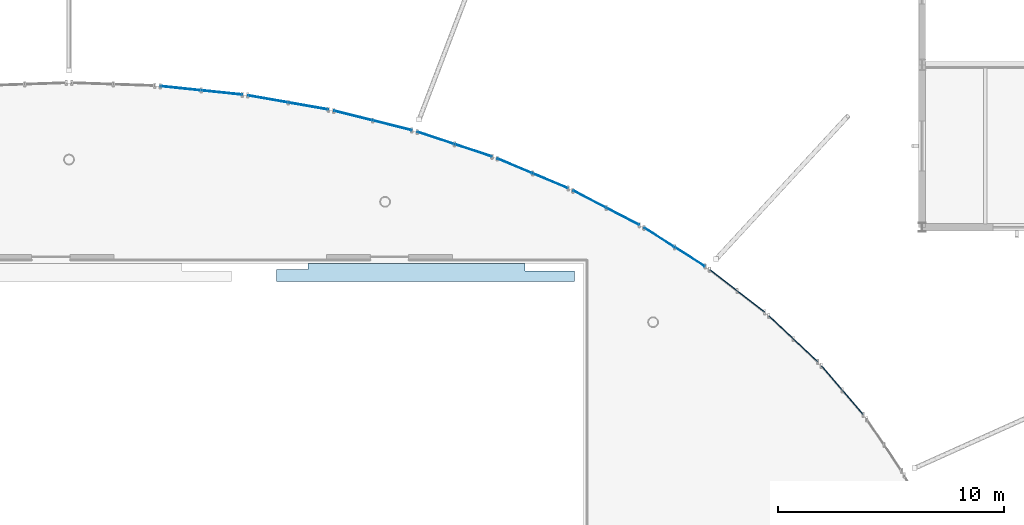
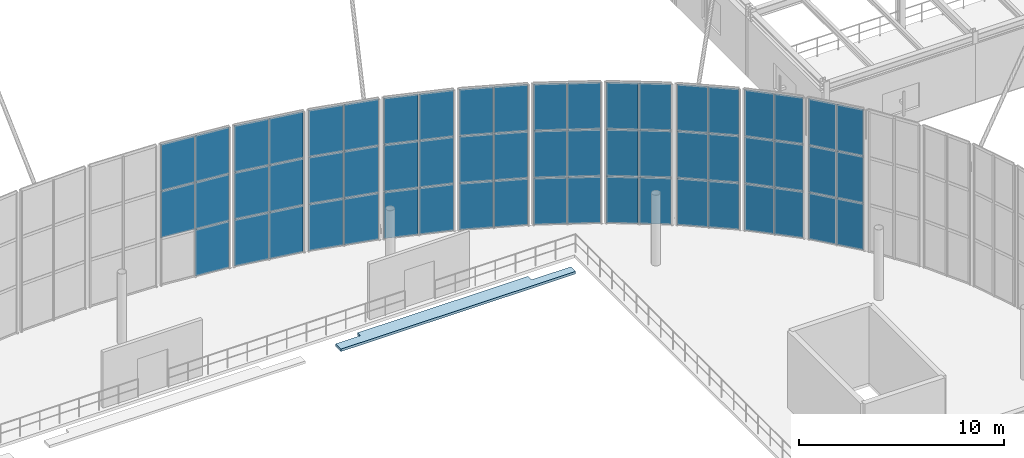
# One storey, part 52 of 109: 59 plates, 1 slab, 10 elements without a shape of their own.
"""IFC4 building model written with IfcOpenShell, lengths in metres."""

from ifc_helpers import new_model, si_unit, derived_unit, direction, frame, origin, origin_2d, place, context, subcontext, project, spatial, polyline, rectangle, outline, extrude, material, layer, layer_set, type_object, element, aggregate, save


model = new_model("IFC4")

# Units and contexts
model_context = context("Model", 3, precision=1e-05, world=origin(), true_north=direction((0.0, 1.0)))
body_context = subcontext(model_context, "Body", "Model", "MODEL_VIEW")
ifc_project = project(units=[si_unit("LENGTHUNIT", "METRE"), si_unit("AREAUNIT", "SQUARE_METRE"), si_unit("VOLUMEUNIT", "CUBIC_METRE"), si_unit("PLANEANGLEUNIT", "RADIAN"), si_unit("MASSUNIT", "GRAM", prefix="KILO"), derived_unit("THERMALTRANSMITTANCEUNIT", [(si_unit("MASSUNIT", "GRAM", prefix="KILO"), 1), (si_unit("TIMEUNIT", "SECOND"), -3), (si_unit("THERMODYNAMICTEMPERATUREUNIT", "KELVIN"), -1)])], contexts=[model_context])

# Site, building, storey
site_placement = place(None, origin())
site = spatial("IfcSite", under=ifc_project, at=site_placement, CompositionType="ELEMENT")
building_placement = place(site_placement, origin())
building = spatial("IfcBuilding", under=site, at=building_placement, Name="Kharveza Railside Sports Centre", CompositionType="ELEMENT")
storey_placement = place(building_placement, frame((0.0, 0.0, 4.5)))
storey = spatial("IfcBuildingStorey", under=building, at=storey_placement, Name="L01", CompositionType="ELEMENT", Elevation=4.5)

# Curtain wall, plates
ifc_material_1 = material(Name="Low-E solar-control laminated glass", Category="glass")
curtain_wall_type = type_object("IfcCurtainWallType", Name="CW-DR01", PredefinedType="NOTDEFINED", material=ifc_material_1)
curtain_wall_1_placement = place(storey_placement, origin())
curtain_wall_1 = element("IfcCurtainWall", 1, at=curtain_wall_1_placement, inside=storey, type_object=curtain_wall_type, Name="CW-DRUM-06", PredefinedType="NOTDEFINED")
ifc_layer_1 = layer(ifc_material_1, 0.035888671875, Name="Low-E solar-control laminated glass")
ifc_layer_set_1 = layer_set([ifc_layer_1], Name="Low-E solar-control laminated glass")
plate_type = type_object("IfcPlateType", Name="PL-CP01", PredefinedType="CURTAIN_PANEL", material=ifc_layer_set_1)
plate_1_placement = place(storey_placement, frame((89.333251953125, 64.23388671875, 0.02001953125), z_axis=(0.0, 0.0, 1.0), x_axis=(-0.650403089613, 0.759589244935, 0.0)))
plate_1 = element("IfcPlate", 2, at=plate_1_placement, type_object=plate_type, Name="CW-DRUM-06-PN11", PredefinedType="CURTAIN_PANEL", context=body_context, shape_type="SweptSolid", body=[
    extrude(rectangle(XDim=1.391357421875, YDim=0.035888671875, at=origin_2d()), origin(), (0.0, 0.0, 1.0), 2.760009765625),
])
plate_2_placement = place(storey_placement, frame((89.333251953125, 64.23388671875, 2.81982421875), z_axis=(0.0, 0.0, 1.0), x_axis=(-0.650403089613, 0.759589244935, 0.0)))
plate_2 = element("IfcPlate", 3, at=plate_2_placement, type_object=plate_type, Name="CW-DRUM-06-PN12", PredefinedType="CURTAIN_PANEL", context=body_context, shape_type="SweptSolid", body=[
    extrude(rectangle(XDim=1.391357421875, YDim=0.035888671875, at=origin_2d()), origin(), (0.0, 0.0, 1.0), 2.760009765625),
])
plate_3_placement = place(storey_placement, frame((89.333251953125, 64.23388671875, 5.6201171875), z_axis=(0.0, 0.0, 1.0), x_axis=(-0.650403089613, 0.759589244935, 0.0)))
plate_3 = element("IfcPlate", 4, at=plate_3_placement, type_object=plate_type, Name="CW-DRUM-06-PN13", PredefinedType="CURTAIN_PANEL", context=body_context, shape_type="SweptSolid", body=[
    extrude(rectangle(XDim=1.391357421875, YDim=0.035888671875, at=origin_2d()), origin(), (0.0, 0.0, 1.0), 2.760009765625),
])
plate_4_placement = place(storey_placement, frame((88.40234375, 65.3212890625, 0.02001953125), z_axis=(0.0, 0.0, 1.0), x_axis=(-0.650403089613, 0.759589244935, 0.0)))
plate_4 = element("IfcPlate", 5, at=plate_4_placement, type_object=plate_type, Name="CW-DRUM-06-PN21", PredefinedType="CURTAIN_PANEL", context=body_context, shape_type="SweptSolid", body=[
    extrude(rectangle(XDim=1.391357421875, YDim=0.035888671875, at=origin_2d()), origin(), (0.0, 0.0, 1.0), 2.760009765625),
])
plate_5_placement = place(storey_placement, frame((88.40234375, 65.3212890625, 2.81982421875), z_axis=(0.0, 0.0, 1.0), x_axis=(-0.650403089613, 0.759589244935, 0.0)))
plate_5 = element("IfcPlate", 6, at=plate_5_placement, type_object=plate_type, Name="CW-DRUM-06-PN22", PredefinedType="CURTAIN_PANEL", context=body_context, shape_type="SweptSolid", body=[
    extrude(rectangle(XDim=1.391357421875, YDim=0.035888671875, at=origin_2d()), origin(), (0.0, 0.0, 1.0), 2.760009765625),
])
plate_6_placement = place(storey_placement, frame((88.40234375, 65.3212890625, 5.6201171875), z_axis=(0.0, 0.0, 1.0), x_axis=(-0.650403089613, 0.759589244935, 0.0)))
plate_6 = element("IfcPlate", 7, at=plate_6_placement, type_object=plate_type, Name="CW-DRUM-06-PN23", PredefinedType="CURTAIN_PANEL", context=body_context, shape_type="SweptSolid", body=[
    extrude(rectangle(XDim=1.391357421875, YDim=0.035888671875, at=origin_2d()), origin(), (0.0, 0.0, 1.0), 2.760009765625),
])
aggregate(curtain_wall_1, [plate_1, plate_2, plate_3, plate_4, plate_5, plate_6])

curtain_wall_2_placement = place(storey_placement, origin())
curtain_wall_2 = element("IfcCurtainWall", 8, at=curtain_wall_2_placement, inside=storey, type_object=curtain_wall_type, Name="CW-DRUM-07", PredefinedType="NOTDEFINED")
plate_7_placement = place(storey_placement, frame((87.230712890625, 66.548828125, 0.02001953125), z_axis=(0.0, 0.0, 1.0), x_axis=(-0.727233892774, 0.686389732732, 0.0)))
plate_7 = element("IfcPlate", 9, at=plate_7_placement, type_object=plate_type, Name="CW-DRUM-07-PN11", PredefinedType="CURTAIN_PANEL", context=body_context, shape_type="SweptSolid", body=[
    extrude(rectangle(XDim=1.44775390625, YDim=0.035888671875, at=origin_2d()), origin(), (0.0, 0.0, 1.0), 2.760009765625),
])
plate_8_placement = place(storey_placement, frame((87.230712890625, 66.548828125, 2.81982421875), z_axis=(0.0, 0.0, 1.0), x_axis=(-0.727233892774, 0.686389732732, 0.0)))
plate_8 = element("IfcPlate", 10, at=plate_8_placement, type_object=plate_type, Name="CW-DRUM-07-PN12", PredefinedType="CURTAIN_PANEL", context=body_context, shape_type="SweptSolid", body=[
    extrude(rectangle(XDim=1.44775390625, YDim=0.035888671875, at=origin_2d()), origin(), (0.0, 0.0, 1.0), 2.760009765625),
])
plate_9_placement = place(storey_placement, frame((87.230712890625, 66.548828125, 5.6201171875), z_axis=(0.0, 0.0, 1.0), x_axis=(-0.727233892774, 0.686389732732, 0.0)))
plate_9 = element("IfcPlate", 11, at=plate_9_placement, type_object=plate_type, Name="CW-DRUM-07-PN13", PredefinedType="CURTAIN_PANEL", context=body_context, shape_type="SweptSolid", body=[
    extrude(rectangle(XDim=1.44775390625, YDim=0.035888671875, at=origin_2d()), origin(), (0.0, 0.0, 1.0), 2.760009765625),
])
plate_10_placement = place(storey_placement, frame((86.148681640625, 67.570068359375, 0.02001953125), z_axis=(0.0, 0.0, 1.0), x_axis=(-0.727233892774, 0.686389732732, 0.0)))
plate_10 = element("IfcPlate", 12, at=plate_10_placement, type_object=plate_type, Name="CW-DRUM-07-PN21", PredefinedType="CURTAIN_PANEL", context=body_context, shape_type="SweptSolid", body=[
    extrude(rectangle(XDim=1.44775390625, YDim=0.035888671875, at=origin_2d()), origin(), (0.0, 0.0, 1.0), 2.760009765625),
])
plate_11_placement = place(storey_placement, frame((86.148681640625, 67.570068359375, 2.81982421875), z_axis=(0.0, 0.0, 1.0), x_axis=(-0.727233892774, 0.686389732732, 0.0)))
plate_11 = element("IfcPlate", 13, at=plate_11_placement, type_object=plate_type, Name="CW-DRUM-07-PN22", PredefinedType="CURTAIN_PANEL", context=body_context, shape_type="SweptSolid", body=[
    extrude(rectangle(XDim=1.44775390625, YDim=0.035888671875, at=origin_2d()), origin(), (0.0, 0.0, 1.0), 2.760009765625),
])
plate_12_placement = place(storey_placement, frame((86.148681640625, 67.570068359375, 5.6201171875), z_axis=(0.0, 0.0, 1.0), x_axis=(-0.727233892774, 0.686389732732, 0.0)))
plate_12 = element("IfcPlate", 14, at=plate_12_placement, type_object=plate_type, Name="CW-DRUM-07-PN23", PredefinedType="CURTAIN_PANEL", context=body_context, shape_type="SweptSolid", body=[
    extrude(rectangle(XDim=1.44775390625, YDim=0.035888671875, at=origin_2d()), origin(), (0.0, 0.0, 1.0), 2.760009765625),
])
aggregate(curtain_wall_2, [plate_7, plate_8, plate_9, plate_10, plate_11, plate_12])

curtain_wall_3_placement = place(storey_placement, origin())
curtain_wall_3 = element("IfcCurtainWall", 15, at=curtain_wall_3_placement, inside=storey, type_object=curtain_wall_type, Name="CW-DRUM-08", PredefinedType="NOTDEFINED")
plate_13_placement = place(storey_placement, frame((84.81396484375, 68.708740234375, 0.02001953125), z_axis=(0.0, 0.0, 1.0), x_axis=(-0.791436947965, 0.61125081382, 0.0)))
plate_13 = element("IfcPlate", 16, at=plate_13_placement, type_object=plate_type, Name="CW-DRUM-08-PN11", PredefinedType="CURTAIN_PANEL", context=body_context, shape_type="SweptSolid", body=[
    extrude(rectangle(XDim=1.50537109375, YDim=0.035888671875, at=origin_2d()), origin(), (0.0, 0.0, 1.0), 2.760009765625),
])
plate_14_placement = place(storey_placement, frame((84.81396484375, 68.708740234375, 2.81982421875), z_axis=(0.0, 0.0, 1.0), x_axis=(-0.791436947965, 0.61125081382, 0.0)))
plate_14 = element("IfcPlate", 17, at=plate_14_placement, type_object=plate_type, Name="CW-DRUM-08-PN12", PredefinedType="CURTAIN_PANEL", context=body_context, shape_type="SweptSolid", body=[
    extrude(rectangle(XDim=1.50537109375, YDim=0.035888671875, at=origin_2d()), origin(), (0.0, 0.0, 1.0), 2.760009765625),
])
plate_15_placement = place(storey_placement, frame((84.81396484375, 68.708740234375, 5.6201171875), z_axis=(0.0, 0.0, 1.0), x_axis=(-0.791436947965, 0.61125081382, 0.0)))
plate_15 = element("IfcPlate", 18, at=plate_15_placement, type_object=plate_type, Name="CW-DRUM-08-PN13", PredefinedType="CURTAIN_PANEL", context=body_context, shape_type="SweptSolid", body=[
    extrude(rectangle(XDim=1.50537109375, YDim=0.035888671875, at=origin_2d()), origin(), (0.0, 0.0, 1.0), 2.760009765625),
])
plate_16_placement = place(storey_placement, frame((83.5908203125, 69.6533203125, 0.02001953125), z_axis=(0.0, 0.0, 1.0), x_axis=(-0.791436947965, 0.61125081382, 0.0)))
plate_16 = element("IfcPlate", 19, at=plate_16_placement, type_object=plate_type, Name="CW-DRUM-08-PN21", PredefinedType="CURTAIN_PANEL", context=body_context, shape_type="SweptSolid", body=[
    extrude(rectangle(XDim=1.50537109375, YDim=0.035888671875, at=origin_2d()), origin(), (0.0, 0.0, 1.0), 2.760009765625),
])
plate_17_placement = place(storey_placement, frame((83.5908203125, 69.6533203125, 2.81982421875), z_axis=(0.0, 0.0, 1.0), x_axis=(-0.791436947965, 0.61125081382, 0.0)))
plate_17 = element("IfcPlate", 20, at=plate_17_placement, type_object=plate_type, Name="CW-DRUM-08-PN22", PredefinedType="CURTAIN_PANEL", context=body_context, shape_type="SweptSolid", body=[
    extrude(rectangle(XDim=1.50537109375, YDim=0.035888671875, at=origin_2d()), origin(), (0.0, 0.0, 1.0), 2.760009765625),
])
plate_18_placement = place(storey_placement, frame((83.5908203125, 69.6533203125, 5.6201171875), z_axis=(0.0, 0.0, 1.0), x_axis=(-0.791436947965, 0.61125081382, 0.0)))
plate_18 = element("IfcPlate", 21, at=plate_18_placement, type_object=plate_type, Name="CW-DRUM-08-PN23", PredefinedType="CURTAIN_PANEL", context=body_context, shape_type="SweptSolid", body=[
    extrude(rectangle(XDim=1.50537109375, YDim=0.035888671875, at=origin_2d()), origin(), (0.0, 0.0, 1.0), 2.760009765625),
])
aggregate(curtain_wall_3, [plate_13, plate_14, plate_15, plate_16, plate_17, plate_18])

curtain_wall_4_placement = place(storey_placement, origin())
curtain_wall_4 = element("IfcCurtainWall", 22, at=curtain_wall_4_placement, inside=storey, type_object=curtain_wall_type, Name="CW-DRUM-09", PredefinedType="NOTDEFINED")
plate_19_placement = place(storey_placement, frame((82.1064453125, 70.6923828125, 0.02001953125), z_axis=(0.0, 0.0, 1.0), x_axis=(-0.844393382793, 0.535723636864, 0.0)))
plate_19 = element("IfcPlate", 23, at=plate_19_placement, type_object=plate_type, Name="CW-DRUM-09-PN11", PredefinedType="CURTAIN_PANEL", context=body_context, shape_type="SweptSolid", body=[
    extrude(rectangle(XDim=1.562255859375, YDim=0.035888671875, at=origin_2d()), origin(), (0.0, 0.0, 1.0), 2.760009765625),
])
plate_20_placement = place(storey_placement, frame((82.1064453125, 70.6923828125, 2.81982421875), z_axis=(0.0, 0.0, 1.0), x_axis=(-0.844393382793, 0.535723636864, 0.0)))
plate_20 = element("IfcPlate", 24, at=plate_20_placement, type_object=plate_type, Name="CW-DRUM-09-PN12", PredefinedType="CURTAIN_PANEL", context=body_context, shape_type="SweptSolid", body=[
    extrude(rectangle(XDim=1.562255859375, YDim=0.035888671875, at=origin_2d()), origin(), (0.0, 0.0, 1.0), 2.760009765625),
])
plate_21_placement = place(storey_placement, frame((82.1064453125, 70.6923828125, 5.6201171875), z_axis=(0.0, 0.0, 1.0), x_axis=(-0.844393382793, 0.535723636864, 0.0)))
plate_21 = element("IfcPlate", 25, at=plate_21_placement, type_object=plate_type, Name="CW-DRUM-09-PN13", PredefinedType="CURTAIN_PANEL", context=body_context, shape_type="SweptSolid", body=[
    extrude(rectangle(XDim=1.562255859375, YDim=0.035888671875, at=origin_2d()), origin(), (0.0, 0.0, 1.0), 2.760009765625),
])
plate_22_placement = place(storey_placement, frame((80.75341796875, 71.55078125, 0.02001953125), z_axis=(0.0, 0.0, 1.0), x_axis=(-0.844393382793, 0.535723636864, 0.0)))
plate_22 = element("IfcPlate", 26, at=plate_22_placement, type_object=plate_type, Name="CW-DRUM-09-PN21", PredefinedType="CURTAIN_PANEL", context=body_context, shape_type="SweptSolid", body=[
    extrude(rectangle(XDim=1.562255859375, YDim=0.035888671875, at=origin_2d()), origin(), (0.0, 0.0, 1.0), 2.760009765625),
])
plate_23_placement = place(storey_placement, frame((80.75341796875, 71.55078125, 2.81982421875), z_axis=(0.0, 0.0, 1.0), x_axis=(-0.844393382793, 0.535723636864, 0.0)))
plate_23 = element("IfcPlate", 27, at=plate_23_placement, type_object=plate_type, Name="CW-DRUM-09-PN22", PredefinedType="CURTAIN_PANEL", context=body_context, shape_type="SweptSolid", body=[
    extrude(rectangle(XDim=1.562255859375, YDim=0.035888671875, at=origin_2d()), origin(), (0.0, 0.0, 1.0), 2.760009765625),
])
plate_24_placement = place(storey_placement, frame((80.75341796875, 71.55078125, 5.6201171875), z_axis=(0.0, 0.0, 1.0), x_axis=(-0.844393382793, 0.535723636864, 0.0)))
plate_24 = element("IfcPlate", 28, at=plate_24_placement, type_object=plate_type, Name="CW-DRUM-09-PN23", PredefinedType="CURTAIN_PANEL", context=body_context, shape_type="SweptSolid", body=[
    extrude(rectangle(XDim=1.562255859375, YDim=0.035888671875, at=origin_2d()), origin(), (0.0, 0.0, 1.0), 2.760009765625),
])
aggregate(curtain_wall_4, [plate_19, plate_20, plate_21, plate_22, plate_23, plate_24])

curtain_wall_5_placement = place(storey_placement, origin())
curtain_wall_5 = element("IfcCurtainWall", 29, at=curtain_wall_5_placement, inside=storey, type_object=curtain_wall_type, Name="CW-DRUM-10", PredefinedType="NOTDEFINED")
plate_25_placement = place(storey_placement, frame((79.13427734375, 72.481201171875, 0.02001953125), z_axis=(0.0, 0.0, 1.0), x_axis=(-0.887526057855, 0.460757524766, 0.0)))
plate_25 = element("IfcPlate", 30, at=plate_25_placement, type_object=plate_type, Name="CW-DRUM-10-PN11", PredefinedType="CURTAIN_PANEL", context=body_context, shape_type="SweptSolid", body=[
    extrude(rectangle(XDim=1.6162109375, YDim=0.035888671875, at=origin_2d()), origin(), (0.0, 0.0, 1.0), 2.760009765625),
])
plate_26_placement = place(storey_placement, frame((79.13427734375, 72.481201171875, 2.81982421875), z_axis=(0.0, 0.0, 1.0), x_axis=(-0.887526057855, 0.460757524766, 0.0)))
plate_26 = element("IfcPlate", 31, at=plate_26_placement, type_object=plate_type, Name="CW-DRUM-10-PN12", PredefinedType="CURTAIN_PANEL", context=body_context, shape_type="SweptSolid", body=[
    extrude(rectangle(XDim=1.6162109375, YDim=0.035888671875, at=origin_2d()), origin(), (0.0, 0.0, 1.0), 2.760009765625),
])
plate_27_placement = place(storey_placement, frame((79.13427734375, 72.481201171875, 5.6201171875), z_axis=(0.0, 0.0, 1.0), x_axis=(-0.887526057855, 0.460757524766, 0.0)))
plate_27 = element("IfcPlate", 32, at=plate_27_placement, type_object=plate_type, Name="CW-DRUM-10-PN13", PredefinedType="CURTAIN_PANEL", context=body_context, shape_type="SweptSolid", body=[
    extrude(rectangle(XDim=1.6162109375, YDim=0.035888671875, at=origin_2d()), origin(), (0.0, 0.0, 1.0), 2.760009765625),
])
plate_28_placement = place(storey_placement, frame((77.664306640625, 73.244384765625, 0.02001953125), z_axis=(0.0, 0.0, 1.0), x_axis=(-0.887526057855, 0.460757524766, 0.0)))
plate_28 = element("IfcPlate", 33, at=plate_28_placement, type_object=plate_type, Name="CW-DRUM-10-PN21", PredefinedType="CURTAIN_PANEL", context=body_context, shape_type="SweptSolid", body=[
    extrude(rectangle(XDim=1.6162109375, YDim=0.035888671875, at=origin_2d()), origin(), (0.0, 0.0, 1.0), 2.760009765625),
])
plate_29_placement = place(storey_placement, frame((77.664306640625, 73.244384765625, 2.81982421875), z_axis=(0.0, 0.0, 1.0), x_axis=(-0.887526057855, 0.460757524766, 0.0)))
plate_29 = element("IfcPlate", 34, at=plate_29_placement, type_object=plate_type, Name="CW-DRUM-10-PN22", PredefinedType="CURTAIN_PANEL", context=body_context, shape_type="SweptSolid", body=[
    extrude(rectangle(XDim=1.6162109375, YDim=0.035888671875, at=origin_2d()), origin(), (0.0, 0.0, 1.0), 2.760009765625),
])
plate_30_placement = place(storey_placement, frame((77.664306640625, 73.244384765625, 5.6201171875), z_axis=(0.0, 0.0, 1.0), x_axis=(-0.887526057855, 0.460757524766, 0.0)))
plate_30 = element("IfcPlate", 35, at=plate_30_placement, type_object=plate_type, Name="CW-DRUM-10-PN23", PredefinedType="CURTAIN_PANEL", context=body_context, shape_type="SweptSolid", body=[
    extrude(rectangle(XDim=1.6162109375, YDim=0.035888671875, at=origin_2d()), origin(), (0.0, 0.0, 1.0), 2.760009765625),
])
aggregate(curtain_wall_5, [plate_25, plate_26, plate_27, plate_28, plate_29, plate_30])

curtain_wall_6_placement = place(storey_placement, origin())
curtain_wall_6 = element("IfcCurtainWall", 36, at=curtain_wall_6_placement, inside=storey, type_object=curtain_wall_type, Name="CW-DRUM-11", PredefinedType="NOTDEFINED")
plate_31_placement = place(storey_placement, frame((75.92578125, 74.0576171875, 0.02001953125), z_axis=(0.0, 0.0, 1.0), x_axis=(-0.9221267115, 0.386888004385, 0.0)))
plate_31 = element("IfcPlate", 37, at=plate_31_placement, type_object=plate_type, Name="CW-DRUM-11-PN11", PredefinedType="CURTAIN_PANEL", context=body_context, shape_type="SweptSolid", body=[
    extrude(rectangle(XDim=1.66552734375, YDim=0.035888671875, at=origin_2d()), origin(), (0.0, 0.0, 1.0), 2.760009765625),
])
plate_32_placement = place(storey_placement, frame((75.92578125, 74.0576171875, 2.81982421875), z_axis=(0.0, 0.0, 1.0), x_axis=(-0.9221267115, 0.386888004385, 0.0)))
plate_32 = element("IfcPlate", 38, at=plate_32_placement, type_object=plate_type, Name="CW-DRUM-11-PN12", PredefinedType="CURTAIN_PANEL", context=body_context, shape_type="SweptSolid", body=[
    extrude(rectangle(XDim=1.66552734375, YDim=0.035888671875, at=origin_2d()), origin(), (0.0, 0.0, 1.0), 2.760009765625),
])
plate_33_placement = place(storey_placement, frame((75.92578125, 74.0576171875, 5.6201171875), z_axis=(0.0, 0.0, 1.0), x_axis=(-0.9221267115, 0.386888004385, 0.0)))
plate_33 = element("IfcPlate", 39, at=plate_33_placement, type_object=plate_type, Name="CW-DRUM-11-PN13", PredefinedType="CURTAIN_PANEL", context=body_context, shape_type="SweptSolid", body=[
    extrude(rectangle(XDim=1.66552734375, YDim=0.035888671875, at=origin_2d()), origin(), (0.0, 0.0, 1.0), 2.760009765625),
])
plate_34_placement = place(storey_placement, frame((74.352783203125, 74.71728515625, 0.02001953125), z_axis=(0.0, 0.0, 1.0), x_axis=(-0.9221267115, 0.386888004385, 0.0)))
plate_34 = element("IfcPlate", 40, at=plate_34_placement, type_object=plate_type, Name="CW-DRUM-11-PN21", PredefinedType="CURTAIN_PANEL", context=body_context, shape_type="SweptSolid", body=[
    extrude(rectangle(XDim=1.66552734375, YDim=0.035888671875, at=origin_2d()), origin(), (0.0, 0.0, 1.0), 2.760009765625),
])
plate_35_placement = place(storey_placement, frame((74.352783203125, 74.71728515625, 2.81982421875), z_axis=(0.0, 0.0, 1.0), x_axis=(-0.9221267115, 0.386888004385, 0.0)))
plate_35 = element("IfcPlate", 41, at=plate_35_placement, type_object=plate_type, Name="CW-DRUM-11-PN22", PredefinedType="CURTAIN_PANEL", context=body_context, shape_type="SweptSolid", body=[
    extrude(rectangle(XDim=1.66552734375, YDim=0.035888671875, at=origin_2d()), origin(), (0.0, 0.0, 1.0), 2.760009765625),
])
plate_36_placement = place(storey_placement, frame((74.352783203125, 74.71728515625, 5.6201171875), z_axis=(0.0, 0.0, 1.0), x_axis=(-0.9221267115, 0.386888004385, 0.0)))
plate_36 = element("IfcPlate", 42, at=plate_36_placement, type_object=plate_type, Name="CW-DRUM-11-PN23", PredefinedType="CURTAIN_PANEL", context=body_context, shape_type="SweptSolid", body=[
    extrude(rectangle(XDim=1.66552734375, YDim=0.035888671875, at=origin_2d()), origin(), (0.0, 0.0, 1.0), 2.760009765625),
])
aggregate(curtain_wall_6, [plate_31, plate_32, plate_33, plate_34, plate_35, plate_36])

curtain_wall_7_placement = place(storey_placement, origin())
curtain_wall_7 = element("IfcCurtainWall", 43, at=curtain_wall_7_placement, inside=storey, type_object=curtain_wall_type, Name="CW-DRUM-12", PredefinedType="NOTDEFINED")
plate_37_placement = place(storey_placement, frame((72.51171875, 75.406494140625, 0.02001953125), z_axis=(0.0, 0.0, 1.0), x_axis=(-0.949326787152, 0.314290711278, 0.0)))
plate_37 = element("IfcPlate", 44, at=plate_37_placement, type_object=plate_type, Name="CW-DRUM-12-PN11", PredefinedType="CURTAIN_PANEL", context=body_context, shape_type="SweptSolid", body=[
    extrude(rectangle(XDim=1.708984375, YDim=0.035888671875, at=origin_2d()), origin(), (0.0, 0.0, 1.0), 2.760009765625),
])
plate_38_placement = place(storey_placement, frame((72.51171875, 75.406494140625, 2.81982421875), z_axis=(0.0, 0.0, 1.0), x_axis=(-0.949326787152, 0.314290711278, 0.0)))
plate_38 = element("IfcPlate", 45, at=plate_38_placement, type_object=plate_type, Name="CW-DRUM-12-PN12", PredefinedType="CURTAIN_PANEL", context=body_context, shape_type="SweptSolid", body=[
    extrude(rectangle(XDim=1.708984375, YDim=0.035888671875, at=origin_2d()), origin(), (0.0, 0.0, 1.0), 2.760009765625),
])
plate_39_placement = place(storey_placement, frame((72.51171875, 75.406494140625, 5.6201171875), z_axis=(0.0, 0.0, 1.0), x_axis=(-0.949326787152, 0.314290711278, 0.0)))
plate_39 = element("IfcPlate", 46, at=plate_39_placement, type_object=plate_type, Name="CW-DRUM-12-PN13", PredefinedType="CURTAIN_PANEL", context=body_context, shape_type="SweptSolid", body=[
    extrude(rectangle(XDim=1.708984375, YDim=0.035888671875, at=origin_2d()), origin(), (0.0, 0.0, 1.0), 2.760009765625),
])
plate_40_placement = place(storey_placement, frame((70.851318359375, 75.9560546875, 0.02001953125), z_axis=(0.0, 0.0, 1.0), x_axis=(-0.949326787152, 0.314290711278, 0.0)))
plate_40 = element("IfcPlate", 47, at=plate_40_placement, type_object=plate_type, Name="CW-DRUM-12-PN21", PredefinedType="CURTAIN_PANEL", context=body_context, shape_type="SweptSolid", body=[
    extrude(rectangle(XDim=1.708984375, YDim=0.035888671875, at=origin_2d()), origin(), (0.0, 0.0, 1.0), 2.760009765625),
])
plate_41_placement = place(storey_placement, frame((70.851318359375, 75.9560546875, 2.81982421875), z_axis=(0.0, 0.0, 1.0), x_axis=(-0.949326787152, 0.314290711278, 0.0)))
plate_41 = element("IfcPlate", 48, at=plate_41_placement, type_object=plate_type, Name="CW-DRUM-12-PN22", PredefinedType="CURTAIN_PANEL", context=body_context, shape_type="SweptSolid", body=[
    extrude(rectangle(XDim=1.708984375, YDim=0.035888671875, at=origin_2d()), origin(), (0.0, 0.0, 1.0), 2.760009765625),
])
plate_42_placement = place(storey_placement, frame((70.851318359375, 75.9560546875, 5.6201171875), z_axis=(0.0, 0.0, 1.0), x_axis=(-0.949326787152, 0.314290711278, 0.0)))
plate_42 = element("IfcPlate", 49, at=plate_42_placement, type_object=plate_type, Name="CW-DRUM-12-PN23", PredefinedType="CURTAIN_PANEL", context=body_context, shape_type="SweptSolid", body=[
    extrude(rectangle(XDim=1.708984375, YDim=0.035888671875, at=origin_2d()), origin(), (0.0, 0.0, 1.0), 2.760009765625),
])
aggregate(curtain_wall_7, [plate_37, plate_38, plate_39, plate_40, plate_41, plate_42])

curtain_wall_8_placement = place(storey_placement, origin())
curtain_wall_8 = element("IfcCurtainWall", 50, at=curtain_wall_8_placement, inside=storey, type_object=curtain_wall_type, Name="CW-DRUM-13", PredefinedType="NOTDEFINED")
plate_43_placement = place(storey_placement, frame((68.925048828125, 76.5146484375, 0.02001953125), z_axis=(0.0, 0.0, 1.0), x_axis=(-0.970037614068, 0.242954784461, 0.0)))
plate_43 = element("IfcPlate", 51, at=plate_43_placement, type_object=plate_type, Name="CW-DRUM-13-PN11", PredefinedType="CURTAIN_PANEL", context=body_context, shape_type="SweptSolid", body=[
    extrude(rectangle(XDim=1.7451171875, YDim=0.035888671875, at=origin_2d()), origin(), (0.0, 0.0, 1.0), 2.760009765625),
])
plate_44_placement = place(storey_placement, frame((68.925048828125, 76.5146484375, 2.81982421875), z_axis=(0.0, 0.0, 1.0), x_axis=(-0.970037614068, 0.242954784461, 0.0)))
plate_44 = element("IfcPlate", 52, at=plate_44_placement, type_object=plate_type, Name="CW-DRUM-13-PN12", PredefinedType="CURTAIN_PANEL", context=body_context, shape_type="SweptSolid", body=[
    extrude(rectangle(XDim=1.7451171875, YDim=0.035888671875, at=origin_2d()), origin(), (0.0, 0.0, 1.0), 2.760009765625),
])
plate_45_placement = place(storey_placement, frame((68.925048828125, 76.5146484375, 5.6201171875), z_axis=(0.0, 0.0, 1.0), x_axis=(-0.970037614068, 0.242954784461, 0.0)))
plate_45 = element("IfcPlate", 53, at=plate_45_placement, type_object=plate_type, Name="CW-DRUM-13-PN13", PredefinedType="CURTAIN_PANEL", context=body_context, shape_type="SweptSolid", body=[
    extrude(rectangle(XDim=1.7451171875, YDim=0.035888671875, at=origin_2d()), origin(), (0.0, 0.0, 1.0), 2.760009765625),
])
plate_46_placement = place(storey_placement, frame((67.193603515625, 76.9482421875, 0.02001953125), z_axis=(0.0, 0.0, 1.0), x_axis=(-0.970037614068, 0.242954784461, 0.0)))
plate_46 = element("IfcPlate", 54, at=plate_46_placement, type_object=plate_type, Name="CW-DRUM-13-PN21", PredefinedType="CURTAIN_PANEL", context=body_context, shape_type="SweptSolid", body=[
    extrude(rectangle(XDim=1.7451171875, YDim=0.035888671875, at=origin_2d()), origin(), (0.0, 0.0, 1.0), 2.760009765625),
])
plate_47_placement = place(storey_placement, frame((67.193603515625, 76.9482421875, 2.81982421875), z_axis=(0.0, 0.0, 1.0), x_axis=(-0.970037614068, 0.242954784461, 0.0)))
plate_47 = element("IfcPlate", 55, at=plate_47_placement, type_object=plate_type, Name="CW-DRUM-13-PN22", PredefinedType="CURTAIN_PANEL", context=body_context, shape_type="SweptSolid", body=[
    extrude(rectangle(XDim=1.7451171875, YDim=0.035888671875, at=origin_2d()), origin(), (0.0, 0.0, 1.0), 2.760009765625),
])
plate_48_placement = place(storey_placement, frame((67.193603515625, 76.9482421875, 5.6201171875), z_axis=(0.0, 0.0, 1.0), x_axis=(-0.970037614068, 0.242954784461, 0.0)))
plate_48 = element("IfcPlate", 56, at=plate_48_placement, type_object=plate_type, Name="CW-DRUM-13-PN23", PredefinedType="CURTAIN_PANEL", context=body_context, shape_type="SweptSolid", body=[
    extrude(rectangle(XDim=1.7451171875, YDim=0.035888671875, at=origin_2d()), origin(), (0.0, 0.0, 1.0), 2.760009765625),
])
aggregate(curtain_wall_8, [plate_43, plate_44, plate_45, plate_46, plate_47, plate_48])

curtain_wall_9_placement = place(storey_placement, origin())
curtain_wall_9 = element("IfcCurtainWall", 57, at=curtain_wall_9_placement, inside=storey, type_object=curtain_wall_type, Name="CW-DRUM-14", PredefinedType="NOTDEFINED")
plate_49_placement = place(storey_placement, frame((65.2001953125, 77.37158203125, 0.02001953125), z_axis=(0.0, 0.0, 1.0), x_axis=(-0.984973989537, 0.172702750228, 0.0)))
plate_49 = element("IfcPlate", 58, at=plate_49_placement, type_object=plate_type, Name="CW-DRUM-14-PN11", PredefinedType="CURTAIN_PANEL", context=body_context, shape_type="SweptSolid", body=[
    extrude(rectangle(XDim=1.77294921875, YDim=0.035888671875, at=origin_2d()), origin(), (0.0, 0.0, 1.0), 2.760009765625),
])
plate_50_placement = place(storey_placement, frame((65.2001953125, 77.37158203125, 2.81982421875), z_axis=(0.0, 0.0, 1.0), x_axis=(-0.984973989537, 0.172702750228, 0.0)))
plate_50 = element("IfcPlate", 59, at=plate_50_placement, type_object=plate_type, Name="CW-DRUM-14-PN12", PredefinedType="CURTAIN_PANEL", context=body_context, shape_type="SweptSolid", body=[
    extrude(rectangle(XDim=1.77294921875, YDim=0.035888671875, at=origin_2d()), origin(), (0.0, 0.0, 1.0), 2.760009765625),
])
plate_51_placement = place(storey_placement, frame((65.2001953125, 77.37158203125, 5.6201171875), z_axis=(0.0, 0.0, 1.0), x_axis=(-0.984973989537, 0.172702750228, 0.0)))
plate_51 = element("IfcPlate", 60, at=plate_51_placement, type_object=plate_type, Name="CW-DRUM-14-PN13", PredefinedType="CURTAIN_PANEL", context=body_context, shape_type="SweptSolid", body=[
    extrude(rectangle(XDim=1.77294921875, YDim=0.035888671875, at=origin_2d()), origin(), (0.0, 0.0, 1.0), 2.760009765625),
])
plate_52_placement = place(storey_placement, frame((63.414794921875, 77.684814453125, 0.02001953125), z_axis=(0.0, 0.0, 1.0), x_axis=(-0.984973989537, 0.172702750228, 0.0)))
plate_52 = element("IfcPlate", 61, at=plate_52_placement, type_object=plate_type, Name="CW-DRUM-14-PN21", PredefinedType="CURTAIN_PANEL", context=body_context, shape_type="SweptSolid", body=[
    extrude(rectangle(XDim=1.77294921875, YDim=0.035888671875, at=origin_2d()), origin(), (0.0, 0.0, 1.0), 2.760009765625),
])
plate_53_placement = place(storey_placement, frame((63.414794921875, 77.684814453125, 2.81982421875), z_axis=(0.0, 0.0, 1.0), x_axis=(-0.984973989537, 0.172702750228, 0.0)))
plate_53 = element("IfcPlate", 62, at=plate_53_placement, type_object=plate_type, Name="CW-DRUM-14-PN22", PredefinedType="CURTAIN_PANEL", context=body_context, shape_type="SweptSolid", body=[
    extrude(rectangle(XDim=1.77294921875, YDim=0.035888671875, at=origin_2d()), origin(), (0.0, 0.0, 1.0), 2.760009765625),
])
plate_54_placement = place(storey_placement, frame((63.414794921875, 77.684814453125, 5.6201171875), z_axis=(0.0, 0.0, 1.0), x_axis=(-0.984973989537, 0.172702750228, 0.0)))
plate_54 = element("IfcPlate", 63, at=plate_54_placement, type_object=plate_type, Name="CW-DRUM-14-PN23", PredefinedType="CURTAIN_PANEL", context=body_context, shape_type="SweptSolid", body=[
    extrude(rectangle(XDim=1.77294921875, YDim=0.035888671875, at=origin_2d()), origin(), (0.0, 0.0, 1.0), 2.760009765625),
])
aggregate(curtain_wall_9, [plate_49, plate_50, plate_51, plate_52, plate_53, plate_54])

curtain_wall_10_placement = place(storey_placement, origin())
curtain_wall_10 = element("IfcCurtainWall", 64, at=curtain_wall_10_placement, inside=storey, type_object=curtain_wall_type, Name="CW-DRUM-15", PredefinedType="NOTDEFINED")
plate_55_placement = place(storey_placement, frame((61.373291015625, 77.968994140625, 0.02001953125), z_axis=(0.0, 0.0, 1.0), x_axis=(-0.994652464432, 0.103278627992, 0.0)))
plate_55 = element("IfcPlate", 65, at=plate_55_placement, type_object=plate_type, Name="CW-DRUM-15-PN11", PredefinedType="CURTAIN_PANEL", context=body_context, shape_type="SweptSolid", body=[
    extrude(rectangle(XDim=1.7919921875, YDim=0.035888671875, at=origin_2d()), origin(), (0.0, 0.0, 1.0), 2.760009765625),
])
plate_56_placement = place(storey_placement, frame((61.373291015625, 77.968994140625, 2.81982421875), z_axis=(0.0, 0.0, 1.0), x_axis=(-0.994652464432, 0.103278627992, 0.0)))
plate_56 = element("IfcPlate", 66, at=plate_56_placement, type_object=plate_type, Name="CW-DRUM-15-PN12", PredefinedType="CURTAIN_PANEL", context=body_context, shape_type="SweptSolid", body=[
    extrude(rectangle(XDim=1.7919921875, YDim=0.035888671875, at=origin_2d()), origin(), (0.0, 0.0, 1.0), 2.760009765625),
])
plate_57_placement = place(storey_placement, frame((61.373291015625, 77.968994140625, 5.6201171875), z_axis=(0.0, 0.0, 1.0), x_axis=(-0.994652464432, 0.103278627992, 0.0)))
plate_57 = element("IfcPlate", 67, at=plate_57_placement, type_object=plate_type, Name="CW-DRUM-15-PN13", PredefinedType="CURTAIN_PANEL", context=body_context, shape_type="SweptSolid", body=[
    extrude(rectangle(XDim=1.7919921875, YDim=0.035888671875, at=origin_2d()), origin(), (0.0, 0.0, 1.0), 2.760009765625),
])
plate_58_placement = place(storey_placement, frame((59.551025390625, 78.158203125, 2.81982421875), z_axis=(0.0, 0.0, 1.0), x_axis=(-0.994652464432, 0.103278627992, 0.0)))
plate_58 = element("IfcPlate", 68, at=plate_58_placement, type_object=plate_type, Name="CW-DRUM-15-PN22", PredefinedType="CURTAIN_PANEL", context=body_context, shape_type="SweptSolid", body=[
    extrude(rectangle(XDim=1.7919921875, YDim=0.035888671875, at=origin_2d()), origin(), (0.0, 0.0, 1.0), 2.760009765625),
])
plate_59_placement = place(storey_placement, frame((59.551025390625, 78.158203125, 5.6201171875), z_axis=(0.0, 0.0, 1.0), x_axis=(-0.994652464432, 0.103278627992, 0.0)))
plate_59 = element("IfcPlate", 69, at=plate_59_placement, type_object=plate_type, Name="CW-DRUM-15-PN23", PredefinedType="CURTAIN_PANEL", context=body_context, shape_type="SweptSolid", body=[
    extrude(rectangle(XDim=1.7919921875, YDim=0.035888671875, at=origin_2d()), origin(), (0.0, 0.0, 1.0), 2.760009765625),
])
aggregate(curtain_wall_10, [plate_55, plate_56, plate_57, plate_58, plate_59])

# Slab
ifc_material_2 = material(Name="Precast concrete C40/50", Category="concrete")
ifc_layer_2 = layer(ifc_material_2, 0.14990234375, Name="Precast concrete C40/50")
ifc_layer_set_2 = layer_set([ifc_layer_2], Name="Precast concrete C40/50")
slab_type = type_object("IfcSlabType", Name="SL-ST150", PredefinedType="USERDEFINED", material=ifc_layer_set_2)
slab_placement = place(storey_placement, frame((0.0, 0.0, -0.510009765625)))
element("IfcSlab", 70, at=slab_placement, inside=storey, type_object=slab_type, Name="Spectator Seating Tier N1-S3", ObjectType="SEATING_TIER", PredefinedType="USERDEFINED", context=body_context, shape_type="SweptSolid", body=[
    extrude(outline(polyline([(63.800048828125, 69.60009765625), (77.0, 69.60009765625), (77.0, 70.06005859375), (74.800048828125, 70.06005859375), (74.800048828125, 70.39990234375), (65.199951171875, 70.39990234375), (65.199951171875, 70.1201171875), (63.800048828125, 70.1201171875), (63.800048828125, 69.60009765625)])), origin(), (0.0, 0.0, 1.0), 0.14990234375),
])

save(model, "model.ifc")
